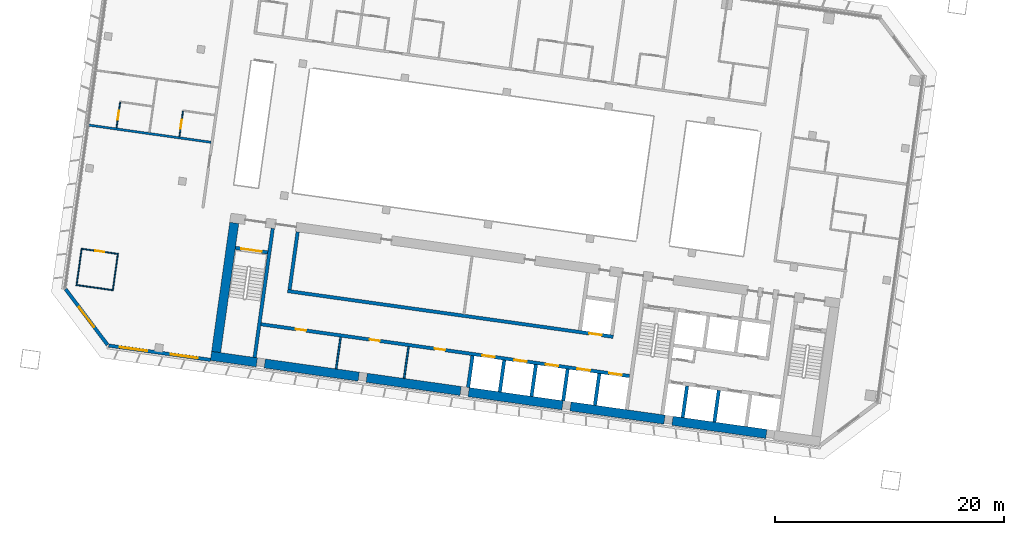
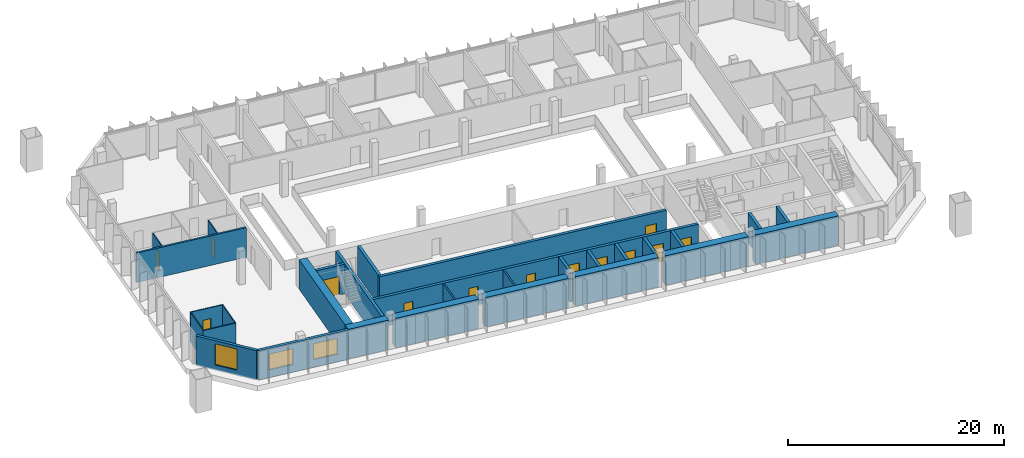
# One storey, part 14 of 25: 30 walls, 13 doors, 3 windows, 16 openings.
"""IFC4 building model written with IfcOpenShell, lengths in metres."""

from ifc_helpers import new_model, si_unit, direction, frame, frame_2d, origin, place, context, subcontext, project, spatial, rectangle, extrude, material, layer, layer_set, type_object, element, fill, save


model = new_model("IFC4")

# Units and contexts
model_context = context("Model", 3, precision=1e-05, world=origin(), true_north=direction((0.0, 1.0)))
body_context = subcontext(model_context, "Body", "Model", "MODEL_VIEW")
ifc_project = project(units=[si_unit("LENGTHUNIT", "METRE"), si_unit("AREAUNIT", "SQUARE_METRE"), si_unit("VOLUMEUNIT", "CUBIC_METRE"), si_unit("PLANEANGLEUNIT", "RADIAN"), si_unit("MASSUNIT", "GRAM", prefix="KILO")], contexts=[model_context])

# Site, building, storey
site_placement = place(None, origin())
site = spatial("IfcSite", under=ifc_project, at=site_placement, CompositionType="ELEMENT")
building_placement = place(site_placement, origin())
building = spatial("IfcBuilding", under=site, at=building_placement, Name="Mirante Cascada Hotel Towers", CompositionType="ELEMENT")
storey_placement = place(building_placement, frame((0.0, 0.0, 136.7)))
storey = spatial("IfcBuildingStorey", under=building, at=storey_placement, Name="L31", CompositionType="ELEMENT", Elevation=136.7)

# Walls
ifc_material_1 = material(Name="Fire-rated plasterboard on metal studs")
ifc_layer_1 = layer(ifc_material_1, 0.2)
ifc_layer_set_1 = layer_set([ifc_layer_1], Name="Compartment wall 200 EI 120")
wall_type_1 = type_object("IfcWallType", Name="Compartment wall 200 EI 120", PredefinedType="PARTITIONING", material=ifc_layer_set_1)
wall_1_placement = place(storey_placement, frame((-101.2993, 8.0205, 0.0), z_axis=(0.0, 0.0, 1.0), x_axis=(0.990268, -0.1391733, 0.0)))
element("IfcWall", 1, at=wall_1_placement, inside=storey, type_object=wall_type_1, Name="Wall 1-L31-05", PredefinedType="PARTITIONING", context=body_context, shape_type="SweptSolid", body=[
    extrude(rectangle(XDim=11.0, YDim=0.2, at=frame_2d((5.5, 0.0))), origin(), (0.0, 0.0, 1.0), 3.35),
])
ifc_material_2 = material(Name="Masonry block", Category="masonry")
ifc_layer_2 = layer(ifc_material_2, 0.15)
ifc_layer_set_2 = layer_set([ifc_layer_2], Name="Core room partition 150 block EI 30")
wall_type_2 = type_object("IfcWallType", Name="Core room partition 150 block EI 30", PredefinedType="PARTITIONING", material=ifc_layer_set_2)
wall_2_placement = place(storey_placement, frame((-73.5161, -14.1621, 0.0), z_axis=(0.0, 0.0, 1.0), x_axis=(0.139176, 0.9902677, 0.0)))
element("IfcWall", 2, at=wall_2_placement, inside=storey, type_object=wall_type_2, Name="Core wall partition T1 L31 5", PredefinedType="PARTITIONING", context=body_context, shape_type="SweptSolid", body=[
    extrude(rectangle(XDim=2.8001, YDim=0.15, at=frame_2d((1.4, 0.0))), origin(), (0.0, 0.0, 1.0), 3.35),
])
wall_3_placement = place(storey_placement, frame((-79.4577, -13.327, 0.0), z_axis=(0.0, 0.0, 1.0), x_axis=(0.1391459, 0.9902719, 0.0)))
element("IfcWall", 3, at=wall_3_placement, inside=storey, type_object=wall_type_2, Name="Core wall partition T1 L31 6", PredefinedType="PARTITIONING", context=body_context, shape_type="SweptSolid", body=[
    extrude(rectangle(XDim=2.7999, YDim=0.15, at=frame_2d((1.4, 0.0))), origin(), (0.0, 0.0, 1.0), 3.35),
])
ifc_material_3 = material(Name="Plasterboard on metal studs")
ifc_layer_3 = layer(ifc_material_3, 0.1)
ifc_layer_set_3 = layer_set([ifc_layer_3], Name="Partition 100")
wall_type_3 = type_object("IfcWallType", Name="Partition 100", PredefinedType="PARTITIONING", material=ifc_layer_set_3)
wall_4_placement = place(storey_placement, frame((-102.2079, -5.9894, 0.0), z_axis=(0.0, 0.0, 1.0), x_axis=(0.9902664, -0.1391852, 0.0)))
element("IfcWall", 4, at=wall_4_placement, inside=storey, type_object=wall_type_3, Name="Wall 1-L31-01", PredefinedType="PARTITIONING", context=body_context, shape_type="SweptSolid", body=[
    extrude(rectangle(XDim=3.2999, YDim=0.1, at=frame_2d((1.65, 0.0))), origin(), (0.0, 0.0, 1.0), 3.35),
])

# Wall, opening, door
wall_5_placement = place(storey_placement, frame((-98.4947, -3.2798, 0.0), z_axis=(0.0, 0.0, 1.0), x_axis=(-0.9902711, 0.1391513, 0.0)))
wall_5 = element("IfcWall", 5, at=wall_5_placement, inside=storey, type_object=wall_type_3, Name="Wall 1-L31-02", PredefinedType="PARTITIONING", context=body_context, shape_type="SweptSolid", body=[
    extrude(rectangle(XDim=3.3, YDim=0.1, at=frame_2d((1.65, 0.0))), origin(), (0.0, 0.0, 1.0), 3.35),
])
opening_1_placement = place(wall_5_placement, frame((1.25, 0.0, 0.0)))
opening_1 = element("IfcOpeningElement", 6, at=opening_1_placement, cuts=wall_5, Name="Opening D1-L31-01", PredefinedType="OPENING", context=body_context, shape_type="SweptSolid", body=[
    extrude(rectangle(XDim=0.8, YDim=2.1, at=frame_2d((0.4, 1.05))), frame((0.0, 0.05, 0.0), z_axis=(0.0, -1.0, 0.0), x_axis=(1.0, 0.0, 0.0)), (0.0, 0.0, 1.0), 0.1),
])
ifc_material_4 = material(Name="Timber door leaf", Category="wood")
door_type_1 = type_object("IfcDoorType", Name="Bathroom door DG4 800x2100", OperationType="SINGLE_SWING_LEFT", PredefinedType="DOOR", material=ifc_material_4)
door_1_placement = place(opening_1_placement, frame((0.8, 0.0, 0.0), z_axis=(0.0, 0.0, 1.0), x_axis=(-1.0, 0.0, 0.0)))
door_1 = element("IfcDoor", 7, at=door_1_placement, inside=storey, type_object=door_type_1, Name="Door D1-L31-01", OperationType="SINGLE_SWING_RIGHT", OverallHeight=2.1, OverallWidth=0.8, PredefinedType="DOOR", context=body_context, shape_type="SweptSolid", body=[
    extrude(rectangle(XDim=0.8, YDim=2.1, at=frame_2d((0.4, 1.05))), frame((0.0, 0.025, 0.0), z_axis=(0.0, -1.0, 0.0), x_axis=(1.0, 0.0, 0.0)), (0.0, 0.0, 1.0), 0.05),
])
fill(opening_1, door_1)

wall_6_placement = place(storey_placement, frame((-92.852, 9.2064, 0.0), z_axis=(0.0, 0.0, 1.0), x_axis=(-0.1391997, -0.9902643, 0.0)))
wall_6 = element("IfcWall", 8, at=wall_6_placement, inside=storey, type_object=wall_type_3, Name="Wall 1-L31-47", PredefinedType="PARTITIONING", context=body_context, shape_type="SweptSolid", body=[
    extrude(rectangle(XDim=2.25, YDim=0.1, at=frame_2d((1.125, 0.0))), origin(), (0.0, 0.0, 1.0), 3.35),
])
opening_2_placement = place(wall_6_placement, frame((0.75, 0.0, 0.0)))
opening_2 = element("IfcOpeningElement", 9, at=opening_2_placement, cuts=wall_6, Name="Opening D1-L31-29", PredefinedType="OPENING", context=body_context, shape_type="SweptSolid", body=[
    extrude(rectangle(XDim=0.8, YDim=2.1, at=frame_2d((0.4, 1.05))), frame((0.0, 0.05, 0.0), z_axis=(0.0, -1.0, 0.0), x_axis=(1.0, 0.0, 0.0)), (0.0, 0.0, 1.0), 0.1),
])
door_2_placement = place(opening_2_placement, origin())
door_2 = element("IfcDoor", 10, at=door_2_placement, inside=storey, type_object=door_type_1, Name="Door D1-L31-29", OperationType="SINGLE_SWING_LEFT", OverallHeight=2.1, OverallWidth=0.8, PredefinedType="DOOR", context=body_context, shape_type="SweptSolid", body=[
    extrude(rectangle(XDim=0.8, YDim=2.1, at=frame_2d((0.4, 1.05))), frame((0.0, 0.025, 0.0), z_axis=(0.0, -1.0, 0.0), x_axis=(1.0, 0.0, 0.0)), (0.0, 0.0, 1.0), 0.05),
])
fill(opening_2, door_2)

# Wall
wall_7_placement = place(storey_placement, frame((-98.9826, -6.3922, 0.0), z_axis=(0.0, 0.0, 1.0), x_axis=(0.1391629, 0.9902695, 0.0)))
element("IfcWall", 11, at=wall_7_placement, inside=storey, type_object=wall_type_3, Name="Wall 1-L31-50", PredefinedType="PARTITIONING", context=body_context, shape_type="SweptSolid", body=[
    extrude(rectangle(XDim=3.1, YDim=0.1, at=frame_2d((1.55, 0.0))), origin(), (0.0, 0.0, 1.0), 3.35),
])

# Wall, opening, door
wall_8_placement = place(storey_placement, frame((-98.348, 9.9788, 0.0), z_axis=(0.0, 0.0, 1.0), x_axis=(-0.1391997, -0.9902643, 0.0)))
wall_8 = element("IfcWall", 12, at=wall_8_placement, inside=storey, type_object=wall_type_3, Name="Wall 1-L31-51", PredefinedType="PARTITIONING", context=body_context, shape_type="SweptSolid", body=[
    extrude(rectangle(XDim=2.25, YDim=0.1, at=frame_2d((1.125, 0.0))), origin(), (0.0, 0.0, 1.0), 3.35),
])
opening_3_placement = place(wall_8_placement, frame((0.75, 0.0, 0.0)))
opening_3 = element("IfcOpeningElement", 13, at=opening_3_placement, cuts=wall_8, Name="Opening D1-L31-31", PredefinedType="OPENING", context=body_context, shape_type="SweptSolid", body=[
    extrude(rectangle(XDim=0.8, YDim=2.1, at=frame_2d((0.4, 1.05))), frame((0.0, 0.05, 0.0), z_axis=(0.0, -1.0, 0.0), x_axis=(1.0, 0.0, 0.0)), (0.0, 0.0, 1.0), 0.1),
])
door_3_placement = place(opening_3_placement, origin())
door_3 = element("IfcDoor", 14, at=door_3_placement, inside=storey, type_object=door_type_1, Name="Door D1-L31-31", OperationType="SINGLE_SWING_LEFT", OverallHeight=2.1, OverallWidth=0.8, PredefinedType="DOOR", context=body_context, shape_type="SweptSolid", body=[
    extrude(rectangle(XDim=0.8, YDim=2.1, at=frame_2d((0.4, 1.05))), frame((0.0, 0.025, 0.0), z_axis=(0.0, -1.0, 0.0), x_axis=(1.0, 0.0, 0.0)), (0.0, 0.0, 1.0), 0.05),
])
fill(opening_3, door_3)

# Wall
wall_9_placement = place(storey_placement, frame((-102.1515, -5.9469, 0.0), z_axis=(0.0, 0.0, 1.0), x_axis=(0.1391901, 0.9902657, 0.0)))
element("IfcWall", 15, at=wall_9_placement, inside=storey, type_object=wall_type_3, Name="Wall 1-L31-52", PredefinedType="PARTITIONING", context=body_context, shape_type="SweptSolid", body=[
    extrude(rectangle(XDim=3.1001, YDim=0.1, at=frame_2d((1.55, 0.0))), origin(), (0.0, 0.0, 1.0), 3.35),
])

# Wall, openings, windows
ifc_material_5 = material(Name="Precast concrete C40/50", Category="concrete")
ifc_layer_4 = layer(ifc_material_5, 0.3)
ifc_layer_set_4 = layer_set([ifc_layer_4], Name="Precast concrete C40/50 cladding wall 300")
wall_type_4 = type_object("IfcWallType", Name="Precast concrete C40/50 cladding wall 300", PredefinedType="STANDARD", material=ifc_layer_set_4)
wall_10_placement = place(storey_placement, frame((-90.4551, -12.5388, 0.0), z_axis=(0.0, 0.0, 1.0), x_axis=(-0.9902678, 0.1391749, 0.0)))
wall_10 = element("IfcWall", 16, at=wall_10_placement, inside=storey, type_object=wall_type_4, Name="Rear cladding wall T1 L31 1", PredefinedType="STANDARD", context=body_context, shape_type="SweptSolid", body=[
    extrude(rectangle(XDim=8.9758, YDim=0.3, at=frame_2d((4.4879, 0.0))), origin(), (0.0, 0.0, 1.0), 3.35),
])
opening_4_placement = place(wall_10_placement, frame((1.1012, 0.0, 0.9)))
opening_4 = element("IfcOpeningElement", 17, at=opening_4_placement, cuts=wall_10, Name="Opening W1-31-01", PredefinedType="OPENING", context=body_context, shape_type="SweptSolid", body=[
    extrude(rectangle(XDim=2.4, YDim=1.8, at=frame_2d((1.2, 0.9))), frame((0.0, 0.15, 0.0), z_axis=(0.0, -1.0, 0.0), x_axis=(1.0, 0.0, 0.0)), (0.0, 0.0, 1.0), 0.3),
])
opening_5_placement = place(wall_10_placement, frame((5.5923, 0.0, 0.9)))
opening_5 = element("IfcOpeningElement", 18, at=opening_5_placement, cuts=wall_10, Name="Opening W1-31-02", PredefinedType="OPENING", context=body_context, shape_type="SweptSolid", body=[
    extrude(rectangle(XDim=2.4, YDim=1.8, at=frame_2d((1.2, 0.9))), frame((0.0, 0.15, 0.0), z_axis=(0.0, -1.0, 0.0), x_axis=(1.0, 0.0, 0.0)), (0.0, 0.0, 1.0), 0.3),
])
ifc_material_6 = material(Name="Aluminium frame with clear double glazing", Category="aluminium")
window_type_1 = type_object("IfcWindowType", Name="Punched window 2400x1800", PartitioningType="DOUBLE_PANEL_VERTICAL", PredefinedType="WINDOW", material=ifc_material_6)
window_1_placement = place(opening_4_placement, origin())
window_1 = element("IfcWindow", 19, at=window_1_placement, inside=storey, type_object=window_type_1, Name="Window W1-31-01", OverallHeight=1.8, OverallWidth=2.4, PartitioningType="SINGLE_PANEL", PredefinedType="WINDOW", context=body_context, shape_type="SweptSolid", body=[
    extrude(rectangle(XDim=2.4, YDim=1.8, at=frame_2d((1.2, 0.9))), frame((0.0, 0.03, 0.0), z_axis=(0.0, -1.0, 0.0), x_axis=(1.0, 0.0, 0.0)), (0.0, 0.0, 1.0), 0.06),
])
fill(opening_4, window_1)
window_2_placement = place(opening_5_placement, origin())
window_2 = element("IfcWindow", 20, at=window_2_placement, inside=storey, type_object=window_type_1, Name="Window W1-31-02", OverallHeight=1.8, OverallWidth=2.4, PartitioningType="SINGLE_PANEL", PredefinedType="WINDOW", context=body_context, shape_type="SweptSolid", body=[
    extrude(rectangle(XDim=2.4, YDim=1.8, at=frame_2d((1.2, 0.9))), frame((0.0, 0.03, 0.0), z_axis=(0.0, -1.0, 0.0), x_axis=(1.0, 0.0, 0.0)), (0.0, 0.0, 1.0), 0.06),
])
fill(opening_5, window_2)

# Wall, opening, window
wall_11_placement = place(storey_placement, frame((-99.4424, -11.2313, 0.0), z_axis=(0.0, 0.0, 1.0), x_axis=(-0.6018194, 0.7986322, 0.0)))
wall_11 = element("IfcWall", 21, at=wall_11_placement, inside=storey, type_object=wall_type_4, Name="Corner cladding wall T1 L31 rear outer", PredefinedType="STANDARD", context=body_context, shape_type="SweptSolid", body=[
    extrude(rectangle(XDim=6.1155, YDim=0.3, at=frame_2d((3.0578, 0.0))), origin(), (0.0, 0.0, 1.0), 3.35),
])
opening_6_placement = place(wall_11_placement, frame((1.9576, 0.0, 0.6)))
opening_6 = element("IfcOpeningElement", 22, at=opening_6_placement, cuts=wall_11, Name="Opening W1-31-03", PredefinedType="OPENING", context=body_context, shape_type="SweptSolid", body=[
    extrude(rectangle(XDim=2.2, YDim=2.4, at=frame_2d((1.1, 1.2))), frame((0.0, 0.15, 0.0), z_axis=(0.0, -1.0, 0.0), x_axis=(1.0, 0.0, 0.0)), (0.0, 0.0, 1.0), 0.3),
])
ifc_material_7 = material(Name="Aluminium frame with clear double glazing", Category="aluminium")
window_type_2 = type_object("IfcWindowType", Name="Corner suite window 2200x2400", PartitioningType="DOUBLE_PANEL_VERTICAL", PredefinedType="WINDOW", material=ifc_material_7)
window_3_placement = place(opening_6_placement, origin())
window_3 = element("IfcWindow", 23, at=window_3_placement, inside=storey, type_object=window_type_2, Name="Window W1-31-03", OverallHeight=2.4, OverallWidth=2.2, PartitioningType="SINGLE_PANEL", PredefinedType="WINDOW", context=body_context, shape_type="SweptSolid", body=[
    extrude(rectangle(XDim=2.2, YDim=2.4, at=frame_2d((1.1, 1.2))), frame((0.0, 0.03, 0.0), z_axis=(0.0, -1.0, 0.0), x_axis=(1.0, 0.0, 0.0)), (0.0, 0.0, 1.0), 0.06),
])
fill(opening_6, window_3)

# Wall
ifc_material_8 = material(Name="Concrete C50/60", Category="concrete")
ifc_layer_5 = layer(ifc_material_8, 0.3)
ifc_layer_set_5 = layer_set([ifc_layer_5], Name="RC core wall 300 C50/60")
wall_type_5 = type_object("IfcWallType", Name="RC core wall 300 C50/60", PredefinedType="SHEAR", material=ifc_layer_set_5)
wall_12_placement = place(storey_placement, frame((-86.5877, -12.325, 0.0), z_axis=(0.0, 0.0, 1.0), x_axis=(0.1391749, 0.9902678, 0.0)))
element("IfcWall", 24, at=wall_12_placement, inside=storey, type_object=wall_type_5, Name="Core wall T1:L31:8", PredefinedType="SHEAR", context=body_context, shape_type="SweptSolid", body=[
    extrude(rectangle(XDim=11.4, YDim=0.3, at=frame_2d((5.7, 0.0))), origin(), (0.0, 0.0, 1.0), 3.35),
])

# Wall, opening, door
wall_13_placement = place(storey_placement, frame((-85.4489, -3.1441, 0.0), z_axis=(0.0, 0.0, 1.0), x_axis=(-0.9902697, 0.1391613, 0.0)))
wall_13 = element("IfcWall", 25, at=wall_13_placement, inside=storey, type_object=wall_type_5, Name="Core wall T1:L31:11", PredefinedType="SHEAR", context=body_context, shape_type="SweptSolid", body=[
    extrude(rectangle(XDim=2.8499, YDim=0.3, at=frame_2d((1.425, 0.0))), origin(), (0.0, 0.0, 1.0), 3.35),
])
opening_7_placement = place(wall_13_placement, frame((0.525, 0.0, 0.0)))
opening_7 = element("IfcOpeningElement", 26, at=opening_7_placement, cuts=wall_13, Name="Opening D1-31-C17", PredefinedType="OPENING", context=body_context, shape_type="SweptSolid", body=[
    extrude(rectangle(XDim=1.8, YDim=2.1, at=frame_2d((0.9, 1.05))), frame((0.0, 0.15, 0.0), z_axis=(0.0, -1.0, 0.0), x_axis=(1.0, 0.0, 0.0)), (0.0, 0.0, 1.0), 0.3),
])
ifc_material_9 = material(Name="Hollow metal fire door leaf")
door_type_2 = type_object("IfcDoorType", Name="Double fire door 1800x2100 FD60", OperationType="DOUBLE_DOOR_SINGLE_SWING", PredefinedType="DOOR", material=ifc_material_9)
door_4_placement = place(opening_7_placement, origin())
door_4 = element("IfcDoor", 27, at=door_4_placement, inside=storey, type_object=door_type_2, Name="Stair door T1 L31 17", OperationType="DOUBLE_DOOR_SINGLE_SWING", OverallHeight=2.1, OverallWidth=1.8, PredefinedType="DOOR", context=body_context, shape_type="SweptSolid", body=[
    extrude(rectangle(XDim=0.895, YDim=2.1, at=frame_2d((0.4475, 1.05))), frame((0.0, 0.025, 0.0), z_axis=(0.0, -1.0, 0.0), x_axis=(1.0, 0.0, 0.0)), (0.0, 0.0, 1.0), 0.05),
    extrude(rectangle(XDim=0.895, YDim=2.1, at=frame_2d((1.3525, 1.05))), frame((0.0, 0.025, 0.0), z_axis=(0.0, -1.0, 0.0), x_axis=(1.0, 0.0, 0.0)), (0.0, 0.0, 1.0), 0.05),
])
fill(opening_7, door_4)

# Walls
wall_14_placement = place(storey_placement, frame((-46.3828, -17.9754, 0.0), z_axis=(0.0, 0.0, 1.0), x_axis=(0.139181, 0.990267, 0.0)))
element("IfcWall", 28, at=wall_14_placement, inside=storey, type_object=wall_type_5, Name="Core wall T1:L31:16", PredefinedType="SHEAR", context=body_context, shape_type="SweptSolid", body=[
    extrude(rectangle(XDim=2.8, YDim=0.3, at=frame_2d((1.4, 0.0))), origin(), (0.0, 0.0, 1.0), 3.35),
])
wall_15_placement = place(storey_placement, frame((-49.1555, -17.5857, 0.0), z_axis=(0.0, 0.0, 1.0), x_axis=(0.1391459, 0.9902719, 0.0)))
element("IfcWall", 29, at=wall_15_placement, inside=storey, type_object=wall_type_5, Name="Core wall T1:L31:17", PredefinedType="SHEAR", context=body_context, shape_type="SweptSolid", body=[
    extrude(rectangle(XDim=2.7999, YDim=0.3, at=frame_2d((1.4, 0.0))), origin(), (0.0, 0.0, 1.0), 3.35),
])

# Wall, openings, doors
wall_16_placement = place(storey_placement, frame((-53.7953, -13.9547, 0.0), z_axis=(0.0, 0.0, 1.0), x_axis=(-0.990268, 0.1391733, 0.0)))
wall_16 = element("IfcWall", 30, at=wall_16_placement, inside=storey, type_object=wall_type_5, Name="Core wall T1:L31:25", PredefinedType="SHEAR", context=body_context, shape_type="SweptSolid", body=[
    extrude(rectangle(XDim=32.5501, YDim=0.3, at=frame_2d((16.275, 0.0))), origin(), (0.0, 0.0, 1.0), 3.35),
])
opening_8_placement = place(wall_16_placement, frame((0.7, 0.0, 0.0)))
opening_8 = element("IfcOpeningElement", 31, at=opening_8_placement, cuts=wall_16, Name="Opening LD", PredefinedType="OPENING", context=body_context, shape_type="SweptSolid", body=[
    extrude(rectangle(XDim=1.1, YDim=2.1, at=frame_2d((0.55, 1.05))), frame((0.0, 0.15, 0.0), z_axis=(0.0, -1.0, 0.0), x_axis=(1.0, 0.0, 0.0)), (0.0, 0.0, 1.0), 0.3),
])
opening_9_placement = place(wall_16_placement, frame((3.5, 0.0, 0.0)))
opening_9 = element("IfcOpeningElement", 32, at=opening_9_placement, cuts=wall_16, Name="Opening LD", PredefinedType="OPENING", context=body_context, shape_type="SweptSolid", body=[
    extrude(rectangle(XDim=1.1, YDim=2.1, at=frame_2d((0.55, 1.05))), frame((0.0, 0.15, 0.0), z_axis=(0.0, -1.0, 0.0), x_axis=(1.0, 0.0, 0.0)), (0.0, 0.0, 1.0), 0.3),
])
opening_10_placement = place(wall_16_placement, frame((6.3, 0.0, 0.0)))
opening_10 = element("IfcOpeningElement", 33, at=opening_10_placement, cuts=wall_16, Name="Opening LD", PredefinedType="OPENING", context=body_context, shape_type="SweptSolid", body=[
    extrude(rectangle(XDim=1.1, YDim=2.1, at=frame_2d((0.55, 1.05))), frame((0.0, 0.15, 0.0), z_axis=(0.0, -1.0, 0.0), x_axis=(1.0, 0.0, 0.0)), (0.0, 0.0, 1.0), 0.3),
])
opening_11_placement = place(wall_16_placement, frame((9.1, 0.0, 0.0)))
opening_11 = element("IfcOpeningElement", 34, at=opening_11_placement, cuts=wall_16, Name="Opening LD", PredefinedType="OPENING", context=body_context, shape_type="SweptSolid", body=[
    extrude(rectangle(XDim=1.1, YDim=2.1, at=frame_2d((0.55, 1.05))), frame((0.0, 0.15, 0.0), z_axis=(0.0, -1.0, 0.0), x_axis=(1.0, 0.0, 0.0)), (0.0, 0.0, 1.0), 0.3),
])
opening_12_placement = place(wall_16_placement, frame((11.9, 0.0, 0.0)))
opening_12 = element("IfcOpeningElement", 35, at=opening_12_placement, cuts=wall_16, Name="Opening LD", PredefinedType="OPENING", context=body_context, shape_type="SweptSolid", body=[
    extrude(rectangle(XDim=1.1, YDim=2.1, at=frame_2d((0.55, 1.05))), frame((0.0, 0.15, 0.0), z_axis=(0.0, -1.0, 0.0), x_axis=(1.0, 0.0, 0.0)), (0.0, 0.0, 1.0), 0.3),
])
opening_13_placement = place(wall_16_placement, frame((16.3, 0.0, 0.0)))
opening_13 = element("IfcOpeningElement", 36, at=opening_13_placement, cuts=wall_16, Name="Opening D1-31-C26", PredefinedType="OPENING", context=body_context, shape_type="SweptSolid", body=[
    extrude(rectangle(XDim=0.9, YDim=2.1, at=frame_2d((0.45, 1.05))), frame((0.0, 0.15, 0.0), z_axis=(0.0, -1.0, 0.0), x_axis=(1.0, 0.0, 0.0)), (0.0, 0.0, 1.0), 0.3),
])
opening_14_placement = place(wall_16_placement, frame((22.05, 0.0, 0.0)))
opening_14 = element("IfcOpeningElement", 37, at=opening_14_placement, cuts=wall_16, Name="Opening D1-31-C27", PredefinedType="OPENING", context=body_context, shape_type="SweptSolid", body=[
    extrude(rectangle(XDim=0.9, YDim=2.1, at=frame_2d((0.45, 1.05))), frame((0.0, 0.15, 0.0), z_axis=(0.0, -1.0, 0.0), x_axis=(1.0, 0.0, 0.0)), (0.0, 0.0, 1.0), 0.3),
])
opening_15_placement = place(wall_16_placement, frame((28.575, 0.0, 0.0)))
opening_15 = element("IfcOpeningElement", 38, at=opening_15_placement, cuts=wall_16, Name="Opening D1-31-C28", PredefinedType="OPENING", context=body_context, shape_type="SweptSolid", body=[
    extrude(rectangle(XDim=0.9, YDim=2.1, at=frame_2d((0.45, 1.05))), frame((0.0, 0.15, 0.0), z_axis=(0.0, -1.0, 0.0), x_axis=(1.0, 0.0, 0.0)), (0.0, 0.0, 1.0), 0.3),
])
ifc_material_10 = material(Name="Hollow metal fire door leaf")
door_type_3 = type_object("IfcDoorType", Name="Fire door 900x2100 FD60", OperationType="NOTDEFINED", PredefinedType="DOOR", material=ifc_material_10)
door_5_placement = place(opening_13_placement, origin())
door_5 = element("IfcDoor", 39, at=door_5_placement, inside=storey, type_object=door_type_3, Name="Room door T1 L31 26", OperationType="SINGLE_SWING_RIGHT", OverallHeight=2.1, OverallWidth=0.9, PredefinedType="DOOR", context=body_context, shape_type="SweptSolid", body=[
    extrude(rectangle(XDim=0.9, YDim=2.1, at=frame_2d((0.45, 1.05))), frame((0.0, 0.025, 0.0), z_axis=(0.0, -1.0, 0.0), x_axis=(1.0, 0.0, 0.0)), (0.0, 0.0, 1.0), 0.05),
])
fill(opening_13, door_5)
door_6_placement = place(opening_14_placement, origin())
door_6 = element("IfcDoor", 40, at=door_6_placement, inside=storey, type_object=door_type_3, Name="Room door T1 L31 27", OperationType="SINGLE_SWING_LEFT", OverallHeight=2.1, OverallWidth=0.9, PredefinedType="DOOR", context=body_context, shape_type="SweptSolid", body=[
    extrude(rectangle(XDim=0.9, YDim=2.1, at=frame_2d((0.45, 1.05))), frame((0.0, 0.025, 0.0), z_axis=(0.0, -1.0, 0.0), x_axis=(1.0, 0.0, 0.0)), (0.0, 0.0, 1.0), 0.05),
])
fill(opening_14, door_6)
door_7_placement = place(opening_15_placement, origin())
door_7 = element("IfcDoor", 41, at=door_7_placement, inside=storey, type_object=door_type_3, Name="Room door T1 L31 28", OperationType="SINGLE_SWING_LEFT", OverallHeight=2.1, OverallWidth=0.9, PredefinedType="DOOR", context=body_context, shape_type="SweptSolid", body=[
    extrude(rectangle(XDim=0.9, YDim=2.1, at=frame_2d((0.45, 1.05))), frame((0.0, 0.025, 0.0), z_axis=(0.0, -1.0, 0.0), x_axis=(1.0, 0.0, 0.0)), (0.0, 0.0, 1.0), 0.05),
])
fill(opening_15, door_7)
ifc_material_11 = material(Name="Stainless steel", Category="steel")
door_type_4 = type_object("IfcDoorType", Name="Lift landing door 1100x2100 EI 120", OperationType="DOUBLE_DOOR_SLIDING", PredefinedType="DOOR", material=ifc_material_11)
door_8_placement = place(opening_8_placement, origin())
door_8 = element("IfcDoor", 42, at=door_8_placement, inside=storey, type_object=door_type_4, Name="Lift landing door LR1-1 L31", OperationType="DOUBLE_DOOR_SLIDING", OverallHeight=2.1, OverallWidth=1.1, PredefinedType="DOOR", context=body_context, shape_type="SweptSolid", body=[
    extrude(rectangle(XDim=0.545, YDim=2.1, at=frame_2d((0.2725, 1.05))), frame((0.0, 0.025, 0.0), z_axis=(0.0, -1.0, 0.0), x_axis=(1.0, 0.0, 0.0)), (0.0, 0.0, 1.0), 0.05),
    extrude(rectangle(XDim=0.545, YDim=2.1, at=frame_2d((0.8275, 1.05))), frame((0.0, 0.025, 0.0), z_axis=(0.0, -1.0, 0.0), x_axis=(1.0, 0.0, 0.0)), (0.0, 0.0, 1.0), 0.05),
])
fill(opening_8, door_8)
door_9_placement = place(opening_9_placement, origin())
door_9 = element("IfcDoor", 43, at=door_9_placement, inside=storey, type_object=door_type_4, Name="Lift landing door LR1-2 L31", OperationType="DOUBLE_DOOR_SLIDING", OverallHeight=2.1, OverallWidth=1.1, PredefinedType="DOOR", context=body_context, shape_type="SweptSolid", body=[
    extrude(rectangle(XDim=0.545, YDim=2.1, at=frame_2d((0.2725, 1.05))), frame((0.0, 0.025, 0.0), z_axis=(0.0, -1.0, 0.0), x_axis=(1.0, 0.0, 0.0)), (0.0, 0.0, 1.0), 0.05),
    extrude(rectangle(XDim=0.545, YDim=2.1, at=frame_2d((0.8275, 1.05))), frame((0.0, 0.025, 0.0), z_axis=(0.0, -1.0, 0.0), x_axis=(1.0, 0.0, 0.0)), (0.0, 0.0, 1.0), 0.05),
])
fill(opening_9, door_9)
door_10_placement = place(opening_10_placement, origin())
door_10 = element("IfcDoor", 44, at=door_10_placement, inside=storey, type_object=door_type_4, Name="Lift landing door SV1-1 L31", OperationType="DOUBLE_DOOR_SLIDING", OverallHeight=2.1, OverallWidth=1.1, PredefinedType="DOOR", context=body_context, shape_type="SweptSolid", body=[
    extrude(rectangle(XDim=0.545, YDim=2.1, at=frame_2d((0.2725, 1.05))), frame((0.0, 0.025, 0.0), z_axis=(0.0, -1.0, 0.0), x_axis=(1.0, 0.0, 0.0)), (0.0, 0.0, 1.0), 0.05),
    extrude(rectangle(XDim=0.545, YDim=2.1, at=frame_2d((0.8275, 1.05))), frame((0.0, 0.025, 0.0), z_axis=(0.0, -1.0, 0.0), x_axis=(1.0, 0.0, 0.0)), (0.0, 0.0, 1.0), 0.05),
])
fill(opening_10, door_10)
door_11_placement = place(opening_11_placement, origin())
door_11 = element("IfcDoor", 45, at=door_11_placement, inside=storey, type_object=door_type_4, Name="Lift landing door SV1-2 L31", OperationType="DOUBLE_DOOR_SLIDING", OverallHeight=2.1, OverallWidth=1.1, PredefinedType="DOOR", context=body_context, shape_type="SweptSolid", body=[
    extrude(rectangle(XDim=0.545, YDim=2.1, at=frame_2d((0.2725, 1.05))), frame((0.0, 0.025, 0.0), z_axis=(0.0, -1.0, 0.0), x_axis=(1.0, 0.0, 0.0)), (0.0, 0.0, 1.0), 0.05),
    extrude(rectangle(XDim=0.545, YDim=2.1, at=frame_2d((0.8275, 1.05))), frame((0.0, 0.025, 0.0), z_axis=(0.0, -1.0, 0.0), x_axis=(1.0, 0.0, 0.0)), (0.0, 0.0, 1.0), 0.05),
])
fill(opening_11, door_11)
door_12_placement = place(opening_12_placement, origin())
door_12 = element("IfcDoor", 46, at=door_12_placement, inside=storey, type_object=door_type_4, Name="Lift landing door SV1-3 L31", OperationType="DOUBLE_DOOR_SLIDING", OverallHeight=2.1, OverallWidth=1.1, PredefinedType="DOOR", context=body_context, shape_type="SweptSolid", body=[
    extrude(rectangle(XDim=0.545, YDim=2.1, at=frame_2d((0.2725, 1.05))), frame((0.0, 0.025, 0.0), z_axis=(0.0, -1.0, 0.0), x_axis=(1.0, 0.0, 0.0)), (0.0, 0.0, 1.0), 0.05),
    extrude(rectangle(XDim=0.545, YDim=2.1, at=frame_2d((0.8275, 1.05))), frame((0.0, 0.025, 0.0), z_axis=(0.0, -1.0, 0.0), x_axis=(1.0, 0.0, 0.0)), (0.0, 0.0, 1.0), 0.05),
])
fill(opening_12, door_12)

# Walls
for number, where, z_axis, x_axis, name in (
    (47, (-56.8301, -16.5072, 0.0), (0.0, 0.0, 1.0), (0.139176, 0.9902677, 0.0), "Core wall T1:L31:26"),
    (48, (-59.6029, -16.1175, 0.0), (0.0, 0.0, 1.0), (0.139176, 0.9902677, 0.0), "Core wall T1:L31:27"),
    (49, (-62.3756, -15.7278, 0.0), (0.0, 0.0, 1.0), (0.139176, 0.9902677, 0.0), "Core wall T1:L31:28"),
    (50, (-65.1484, -15.3381, 0.0), (0.0, 0.0, 1.0), (0.139176, 0.9902677, 0.0), "Core wall T1:L31:29"),
):
    element("IfcWall", number, at=place(storey_placement, frame(where, z_axis=z_axis, x_axis=x_axis)), inside=storey, type_object=wall_type_5, Name=name, PredefinedType="SHEAR", context=body_context, shape_type="SweptSolid", body=[
        extrude(rectangle(XDim=2.8001, YDim=0.3, at=frame_2d((1.4, 0.0))), origin(), (0.0, 0.0, 1.0), 3.35),
    ])
wall_17_placement = place(storey_placement, frame((-67.9211, -14.9484, 0.0), z_axis=(0.0, 0.0, 1.0), x_axis=(0.139181, 0.990267, 0.0)))
element("IfcWall", 51, at=wall_17_placement, inside=storey, type_object=wall_type_5, Name="Core wall T1:L31:30", PredefinedType="SHEAR", context=body_context, shape_type="SweptSolid", body=[
    extrude(rectangle(XDim=2.8, YDim=0.3, at=frame_2d((1.4, 0.0))), origin(), (0.0, 0.0, 1.0), 3.35),
])

# Wall, opening, door
wall_18_placement = place(storey_placement, frame((-55.2315, -10.5214, 0.0), z_axis=(0.0, 0.0, 1.0), x_axis=(-0.9902682, 0.1391722, 0.0)))
wall_18 = element("IfcWall", 52, at=wall_18_placement, inside=storey, type_object=wall_type_5, Name="Core wall T1:L31:33", PredefinedType="SHEAR", context=body_context, shape_type="SweptSolid", body=[
    extrude(rectangle(XDim=28.75, YDim=0.3, at=frame_2d((14.375, 0.0))), origin(), (0.0, 0.0, 1.0), 3.35),
])
opening_16_placement = place(wall_18_placement, frame((1.0, 0.0, 0.0)))
opening_16 = element("IfcOpeningElement", 53, at=opening_16_placement, cuts=wall_18, Name="Opening LD", PredefinedType="OPENING", context=body_context, shape_type="SweptSolid", body=[
    extrude(rectangle(XDim=1.1, YDim=2.1, at=frame_2d((0.55, 1.05))), frame((0.0, 0.15, 0.0), z_axis=(0.0, -1.0, 0.0), x_axis=(1.0, 0.0, 0.0)), (0.0, 0.0, 1.0), 0.3),
])
door_13_placement = place(opening_16_placement, origin())
door_13 = element("IfcDoor", 54, at=door_13_placement, inside=storey, type_object=door_type_4, Name="Lift landing door LR1-3 L31", OperationType="DOUBLE_DOOR_SLIDING", OverallHeight=2.1, OverallWidth=1.1, PredefinedType="DOOR", context=body_context, shape_type="SweptSolid", body=[
    extrude(rectangle(XDim=0.545, YDim=2.1, at=frame_2d((0.2725, 1.05))), frame((0.0, 0.025, 0.0), z_axis=(0.0, -1.0, 0.0), x_axis=(1.0, 0.0, 0.0)), (0.0, 0.0, 1.0), 0.05),
    extrude(rectangle(XDim=0.545, YDim=2.1, at=frame_2d((0.8275, 1.05))), frame((0.0, 0.025, 0.0), z_axis=(0.0, -1.0, 0.0), x_axis=(1.0, 0.0, 0.0)), (0.0, 0.0, 1.0), 0.05),
])
fill(opening_16, door_13)

# Walls
wall_19_placement = place(storey_placement, frame((-83.5323, -6.3925, 0.0), z_axis=(0.0, 0.0, 1.0), x_axis=(0.1391755, 0.9902677, 0.0)))
element("IfcWall", 55, at=wall_19_placement, inside=storey, type_object=wall_type_5, Name="Core wall T1:L31:35", PredefinedType="SHEAR", context=body_context, shape_type="SweptSolid", body=[
    extrude(rectangle(XDim=5.1, YDim=0.3, at=frame_2d((2.55, 0.0))), origin(), (0.0, 0.0, 1.0), 3.35),
])
ifc_material_12 = material(Name="Concrete C50/60", Category="concrete")
ifc_layer_6 = layer(ifc_material_12, 0.8)
ifc_layer_set_6 = layer_set([ifc_layer_6], Name="RC core wall 800 C50/60")
wall_type_6 = type_object("IfcWallType", Name="RC core wall 800 C50/60", PredefinedType="SHEAR", material=ifc_layer_set_6)
for number, where, z_axis, x_axis, name in (
    (56, (-41.8337, -19.0187, 0.0), (0.0, 0.0, 1.0), (-0.9902686, 0.1391692, 0.0), "Core wall T1:L31:1.2"),
    (57, (-50.7461, -17.7661, 0.0), (0.0, 0.0, 1.0), (-0.9902686, 0.1391692, 0.0), "Core wall T1:L31:1.3"),
):
    element("IfcWall", number, at=place(storey_placement, frame(where, z_axis=z_axis, x_axis=x_axis)), inside=storey, type_object=wall_type_6, Name=name, PredefinedType="SHEAR", context=body_context, shape_type="SweptSolid", body=[
        extrude(rectangle(XDim=8.3, YDim=0.8, at=frame_2d((4.15, 0.0))), origin(), (0.0, 0.0, 1.0), 3.35),
    ])
for number, where, z_axis, x_axis, name in (
    (58, (-59.6585, -16.5136, 0.0), (0.0, 0.0, 1.0), (-0.9902672, 0.1391793, 0.0), "Core wall T1:L31:1.4"),
    (59, (-68.5709, -15.261, 0.0), (0.0, 0.0, 1.0), (-0.9902689, 0.1391675, 0.0), "Core wall T1:L31:1.5"),
):
    element("IfcWall", number, at=place(storey_placement, frame(where, z_axis=z_axis, x_axis=x_axis)), inside=storey, type_object=wall_type_6, Name=name, PredefinedType="SHEAR", context=body_context, shape_type="SweptSolid", body=[
        extrude(rectangle(XDim=8.3001, YDim=0.8, at=frame_2d((4.15, 0.0))), origin(), (0.0, 0.0, 1.0), 3.35),
    ])
wall_20_placement = place(storey_placement, frame((-77.4834, -14.0085, 0.0), z_axis=(0.0, 0.0, 1.0), x_axis=(-0.990267, 0.139181, 0.0)))
element("IfcWall", 60, at=wall_20_placement, inside=storey, type_object=wall_type_6, Name="Core wall T1:L31:1.6", PredefinedType="SHEAR", context=body_context, shape_type="SweptSolid", body=[
    extrude(rectangle(XDim=8.3, YDim=0.8, at=frame_2d((4.15, 0.0))), origin(), (0.0, 0.0, 1.0), 3.35),
])
wall_21_placement = place(storey_placement, frame((-86.3958, -12.7559, 0.0), z_axis=(0.0, 0.0, 1.0), x_axis=(-0.9902665, 0.1391845, 0.0)))
element("IfcWall", 61, at=wall_21_placement, inside=storey, type_object=wall_type_6, Name="Core wall T1:L31:1.7", PredefinedType="SHEAR", context=body_context, shape_type="SweptSolid", body=[
    extrude(rectangle(XDim=4.05, YDim=0.8, at=frame_2d((2.025, 0.0))), origin(), (0.0, 0.0, 1.0), 3.35),
])
wall_22_placement = place(storey_placement, frame((-89.9546, -11.8518, 0.0), z_axis=(0.0, 0.0, 1.0), x_axis=(0.1391761, 0.9902677, 0.0)))
element("IfcWall", 62, at=wall_22_placement, inside=storey, type_object=wall_type_6, Name="Core wall T1:L31:4", PredefinedType="SHEAR", context=body_context, shape_type="SweptSolid", body=[
    extrude(rectangle(XDim=11.3999, YDim=0.8, at=frame_2d((5.7, 0.0))), origin(), (0.0, 0.0, 1.0), 3.35),
])

save(model, "model.ifc")
